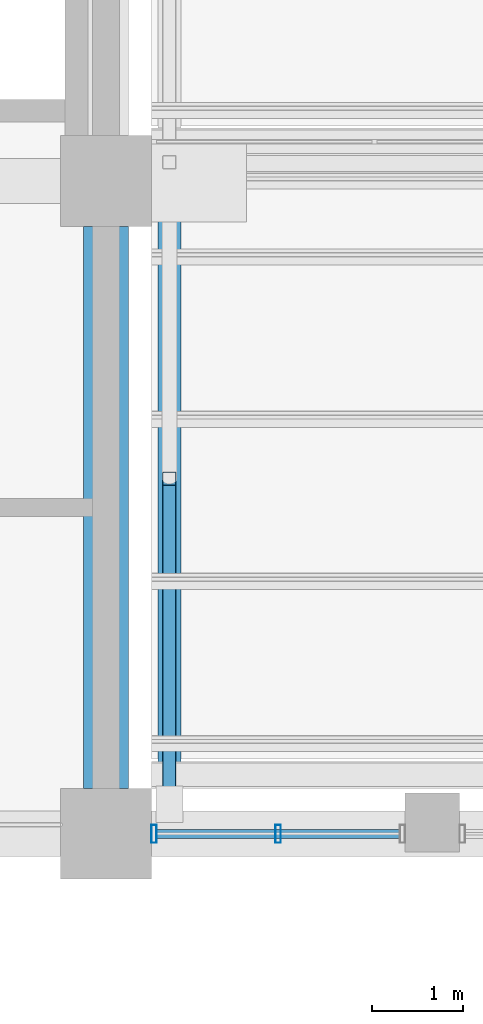
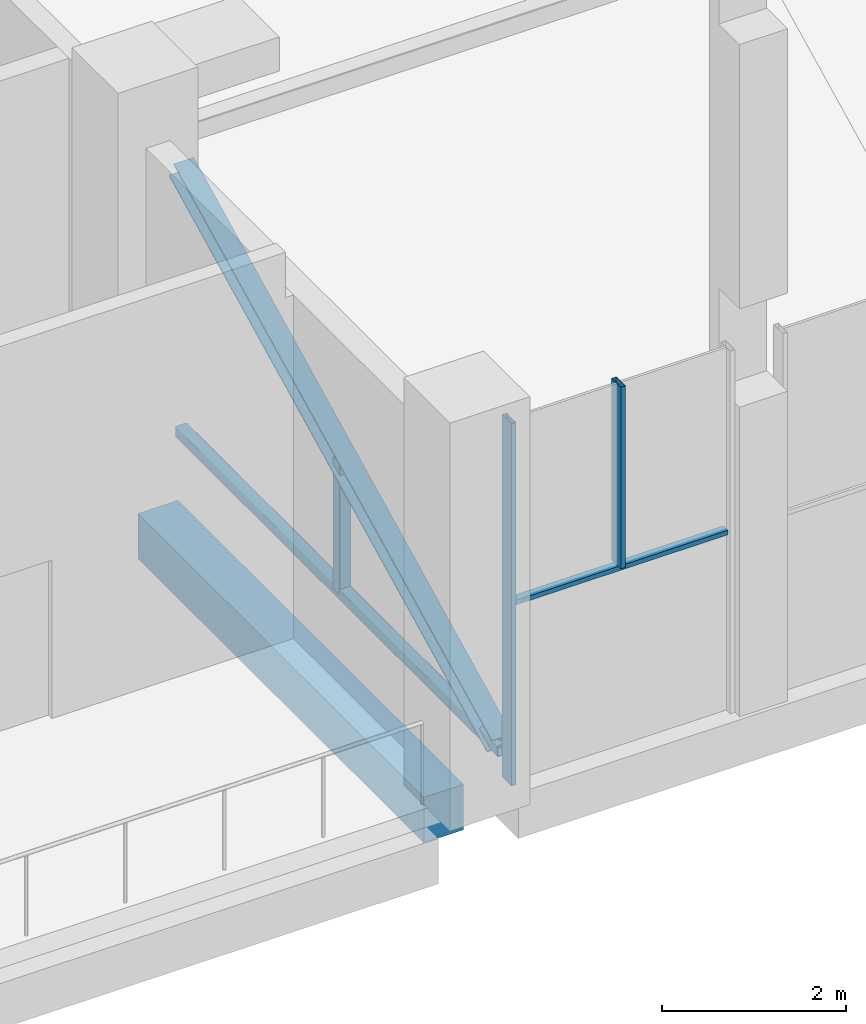
# One storey, part 23 of 83: 6 members, 1 beam, 1 element without a shape of its own.
"""IFC4 building model written with IfcOpenShell, lengths in metres."""

from ifc_helpers import new_model, si_unit, direction, frame, origin, origin_2d, place, context, subcontext, project, spatial, rectangle, hollow_rectangle, i_section, extrude, material, material_profile, profile_set, type_object, element, aggregate, save


model = new_model("IFC4")

# Units and contexts
model_context = context("Model", 3, precision=1e-05, world=origin(), true_north=direction((0.0, 1.0)))
body_context = subcontext(model_context, "Body", "Model", "MODEL_VIEW")
ifc_project = project(units=[si_unit("LENGTHUNIT", "METRE"), si_unit("AREAUNIT", "SQUARE_METRE"), si_unit("VOLUMEUNIT", "CUBIC_METRE"), si_unit("PLANEANGLEUNIT", "RADIAN"), si_unit("MASSUNIT", "GRAM", prefix="KILO")], contexts=[model_context])

# Site, building, storey
site_placement = place(None, origin())
site = spatial("IfcSite", under=ifc_project, at=site_placement, CompositionType="ELEMENT")
building_placement = place(site_placement, origin())
building = spatial("IfcBuilding", under=site, at=building_placement, Name="Silangan Lancet Faculty of Sciences", CompositionType="ELEMENT")
storey_placement = place(building_placement, frame((0.0, 0.0, 11.39990234375)))
storey = spatial("IfcBuildingStorey", under=building, at=storey_placement, Name="L02", CompositionType="ELEMENT", Elevation=11.39990234375)

# Beam
ifc_material_1 = material(Name="Concrete C40/50", Category="concrete")
ifc_material_profile_1 = material_profile(ifc_material_1, rectangle(XDim=0.5, YDim=0.60009765625, at=origin_2d()), Name="RC 500x600")
ifc_profile_set_1 = profile_set([ifc_material_profile_1], Name="Concrete C40/50")
beam_type = type_object("IfcBeamType", Name="BEAM RC 500x600", PredefinedType="BEAM", material=ifc_profile_set_1)
beam_placement = place(storey_placement, frame((28.800048828125, 36.5, -0.5498046875), z_axis=(0.0, 1.0, 0.0), x_axis=(-1.0, 0.0, 0.0)))
element("IfcBeam", 1, at=beam_placement, inside=storey, type_object=beam_type, Name="BM-L02-5F-5G", PredefinedType="BEAM", context=body_context, shape_type="SweptSolid", body=[
    extrude(rectangle(XDim=0.5, YDim=0.60009765625, at=origin_2d()), origin(), (0.0, 0.0, 1.0), 6.199951171875),
])

# Curtain wall, members
ifc_material_2 = material(Name="Aluminium framed curtain wall with insulated glass", Category="aluminium")
curtain_wall_type = type_object("IfcCurtainWallType", Name="CW5 Nave north light glazing", PredefinedType="NOTDEFINED", material=ifc_material_2)
curtain_wall_placement = place(storey_placement, origin())
curtain_wall = element("IfcCurtainWall", 2, at=curtain_wall_placement, inside=storey, type_object=curtain_wall_type, Name="CW5 Nave north lights L02 bay 6", PredefinedType="NOTDEFINED")
ifc_material_3 = material(Name="Aluminium 6063-T6 extrusion", Category="aluminium")
ifc_material_profile_2 = material_profile(ifc_material_3, hollow_rectangle(XDim=0.06005859375, YDim=0.199951171875, WallThickness=0.00390625, at=origin_2d()), Name="AL BOX 60x200x4")
ifc_profile_set_2 = profile_set([ifc_material_profile_2], Name="Aluminium 6063-T6 extrusion")
member_type_1 = type_object("IfcMemberType", Name="CM1 Mullion 60x200", PredefinedType="MULLION", material=ifc_profile_set_2)
member_1_placement = place(storey_placement, frame((29.330078125, 36.0, 0.0), z_axis=(0.0, 0.0, 1.0), x_axis=(-1.0, 0.0, 0.0)))
member_1 = element("IfcMember", 3, at=member_1_placement, type_object=member_type_1, Name="CW5 Nave north lights L02 bay 6 mullion 2", PredefinedType="MULLION", context=body_context, shape_type="SweptSolid", body=[
    extrude(hollow_rectangle(XDim=0.06005859375, YDim=0.199951171875, WallThickness=0.00390625, at=origin_2d()), origin(), (0.0, 0.0, 1.0), 4.800048828125),
])
member_2_placement = place(storey_placement, frame((30.699951171875, 36.0, 2.400146484375), z_axis=(0.0, 0.0, 1.0), x_axis=(-1.0, 0.0, 0.0)))
member_2 = element("IfcMember", 4, at=member_2_placement, type_object=member_type_1, Name="CW5 Nave north lights L02 bay 6 mullion 3", PredefinedType="MULLION", context=body_context, shape_type="SweptSolid", body=[
    extrude(hollow_rectangle(XDim=0.06005859375, YDim=0.199951171875, WallThickness=0.00390625, at=origin_2d()), origin(), (0.0, 0.0, 1.0), 2.39990234375),
])
ifc_material_4 = material(Name="Aluminium 6063-T6 extrusion", Category="aluminium")
ifc_material_profile_3 = material_profile(ifc_material_4, hollow_rectangle(XDim=0.10009765625, YDim=0.06005859375, WallThickness=0.0029296875, at=origin_2d()), Name="AL BOX 100x60x3")
ifc_profile_set_3 = profile_set([ifc_material_profile_3], Name="Aluminium 6063-T6 extrusion")
member_type_2 = type_object("IfcMemberType", Name="CT1 Transom 100x60", PredefinedType="USERDEFINED", material=ifc_profile_set_3)
member_3_placement = place(storey_placement, frame((32.039794921875, 36.0, 2.3701171875), z_axis=(-1.0, 0.0, 0.0), x_axis=(0.0, -1.0, 0.0)))
member_3 = element("IfcMember", 5, at=member_3_placement, type_object=member_type_2, Name="CW5 Nave north lights L02 bay 6 transom 1", ObjectType="TRANSOM", PredefinedType="USERDEFINED", context=body_context, shape_type="SweptSolid", body=[
    extrude(hollow_rectangle(XDim=0.10009765625, YDim=0.06005859375, WallThickness=0.0029296875, at=origin_2d()), origin(), (0.0, 0.0, 1.0), 2.6796875),
])
aggregate(curtain_wall, [member_1, member_2, member_3])

# Members
ifc_material_5 = material(Name="Steel STKR400", Category="steel")
ifc_material_profile_4 = material_profile(ifc_material_5, hollow_rectangle(XDim=0.14990234375, YDim=0.14990234375, WallThickness=0.009033203125, InnerFilletRadius=0.009033203125, OuterFilletRadius=0.01806640625, at=origin_2d()), Name="SHS 150x150x9.0")
ifc_profile_set_4 = profile_set([ifc_material_profile_4], Name="Steel STKR400")
member_type_3 = type_object("IfcMemberType", Name="Truss bottom chord SHS 150x150x9.0", PredefinedType="CHORD", material=ifc_profile_set_4)
member_4_placement = place(storey_placement, frame((29.5, 36.425048828125, 0.09521484375), z_axis=(0.0, 1.0, 0.0), x_axis=(-1.0, 0.0, 0.0)))
element("IfcMember", 6, at=member_4_placement, inside=storey, type_object=member_type_3, Name="Truss 1 bottom chord 1", PredefinedType="CHORD", context=body_context, shape_type="SweptSolid", body=[
    extrude(hollow_rectangle(XDim=0.14990234375, YDim=0.14990234375, WallThickness=0.009033203125, InnerFilletRadius=0.009033203125, OuterFilletRadius=0.01806640625, at=origin_2d()), origin(), (0.0, 0.0, 1.0), 6.981689453125),
])
ifc_material_6 = material(Name="Steel STKR400", Category="steel")
ifc_material_profile_5 = material_profile(ifc_material_6, hollow_rectangle(XDim=0.14990234375, YDim=0.14990234375, WallThickness=0.006103515625, InnerFilletRadius=0.006103515625, OuterFilletRadius=0.011962890625, at=origin_2d()), Name="SHS 150x150x6.0")
ifc_profile_set_5 = profile_set([ifc_material_profile_5], Name="Steel STKR400")
member_type_4 = type_object("IfcMemberType", Name="Truss post SHS 150x150x6.0", PredefinedType="POST", material=ifc_profile_set_5)
member_5_placement = place(storey_placement, frame((29.5, 39.915771484375, 0.09521484375), z_axis=(0.0, 0.0, 1.0), x_axis=(1.0, 0.0, 0.0)))
element("IfcMember", 7, at=member_5_placement, inside=storey, type_object=member_type_4, Name="Truss 1 mid post 1", PredefinedType="POST", context=body_context, shape_type="SweptSolid", body=[
    extrude(hollow_rectangle(XDim=0.14990234375, YDim=0.14990234375, WallThickness=0.006103515625, InnerFilletRadius=0.006103515625, OuterFilletRadius=0.011962890625, at=origin_2d()), origin(), (0.0, 0.0, 1.0), 1.745361328125),
])
ifc_material_7 = material(Name="Steel SS400", Category="steel")
ifc_material_profile_6 = material_profile(ifc_material_7, i_section(OverallWidth=0.25, OverallDepth=0.25, WebThickness=0.009033203125, FlangeThickness=0.013916015625, FilletRadius=0.01611328125, at=origin_2d()), Name="H 250x250x9x14")
ifc_profile_set_6 = profile_set([ifc_material_profile_6], Name="Steel SS400")
member_type_5 = type_object("IfcMemberType", Name="Truss top chord H 250x250x9x14", PredefinedType="CHORD", material=ifc_profile_set_6)
member_6_placement = place(storey_placement, frame((29.5, 36.505615234375, 0.13525390625), z_axis=(0.0, 0.894420862535, 0.447226252205), x_axis=(-1.0, 0.0, 0.0)))
element("IfcMember", 8, at=member_6_placement, inside=storey, type_object=member_type_5, Name="Truss 1 top chord 1", PredefinedType="CHORD", context=body_context, shape_type="SweptSolid", body=[
    extrude(i_section(OverallWidth=0.25, OverallDepth=0.25, WebThickness=0.009033203125, FlangeThickness=0.013916015625, FilletRadius=0.01611328125, at=origin_2d()), origin(), (0.0, 0.0, 1.0), 7.7158203125),
])

save(model, "model.ifc")
